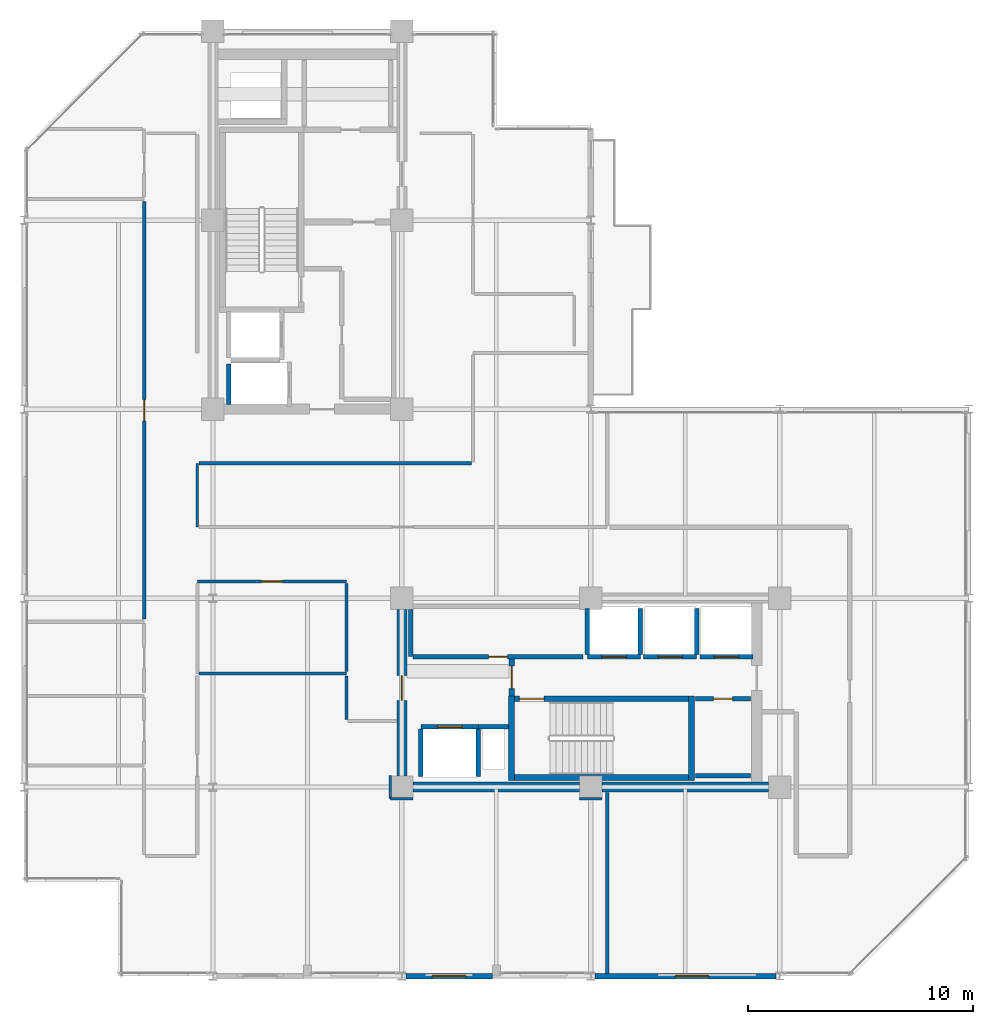
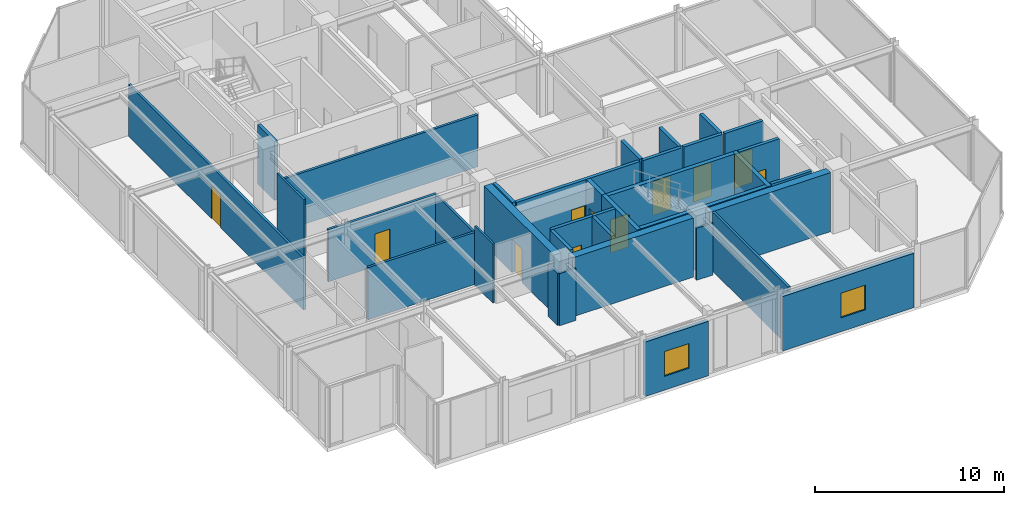
# One storey, part 20 of 25: 36 walls, 11 doors, 2 windows, 13 openings.
"""IFC4 building model written with IfcOpenShell, lengths in metres."""

import ifcopenshell
import ifcopenshell.guid

model = None  # the IFC model being written
_history = None  # IfcOwnerHistory: only IFC2X3 demands one
_inside = {}  # id of a spatial element -> (the spatial element, [elements in it])
_under = {}  # id of a project, library or spatial element -> (it, [spatial elements below it])
_declared = {}  # id of a project -> (the project, [libraries it declares])
_typed = {}  # id of a type object -> (the type object, [elements of that type])
_made_of = {}  # id of a material, layer set ... -> (it, [elements and type objects made of it])


def new_model(schema):
    """Start an empty IFC model of exactly this schema.

    Asked for "IFC4X3", IfcOpenShell would pick the latest addendum, in which some entities
    have other attributes; the version numbers below select the first issue.
    IFC2X3 requires an IfcOwnerHistory on every rooted entity: one is made here for all.
    """
    global model, _history
    if schema == "IFC4X3":
        model = ifcopenshell.file(schema_version=(4, 3, 0, 0))
    else:
        model = ifcopenshell.file(schema=schema)
    _inside.clear()
    _under.clear()
    _declared.clear()
    _typed.clear()
    _made_of.clear()
    _history = None
    if model.schema == "IFC2X3":
        org = make("IfcOrganization", Name="unknown")
        user = make(
            "IfcPersonAndOrganization",
            ThePerson=make("IfcPerson", FamilyName="unknown"),
            TheOrganization=org,
        )
        app = make(
            "IfcApplication",
            ApplicationDeveloper=org,
            Version="unknown",
            ApplicationFullName="unknown",
            ApplicationIdentifier="unknown",
        )
        _history = make(
            "IfcOwnerHistory",
            OwningUser=user,
            OwningApplication=app,
            ChangeAction="ADDED",
            CreationDate=0,
        )
    return model


def make(cls, **values):
    """One entity of the class cls with the attributes given. An attribute that is None is left unset."""
    return model.create_entity(
        cls, **{name: value for name, value in values.items() if value is not None}
    )


def rooted(cls, **values):
    """An entity with a GlobalId (a new one), such as an element, a storey or a relation."""
    return make(cls, GlobalId=ifcopenshell.guid.new(), OwnerHistory=_history, **values)


def si_unit(unit_type, name, prefix=None):
    """IfcSIUnit, for example si_unit("LENGTHUNIT", "METRE", prefix="MILLI")."""
    return make("IfcSIUnit", UnitType=unit_type, Prefix=prefix, Name=name)


def assignment(units):
    """IfcUnitAssignment: the units of a project."""
    return None if units is None else make("IfcUnitAssignment", Units=units)


def point(xyz):
    """IfcCartesianPoint."""
    return None if xyz is None else make("IfcCartesianPoint", Coordinates=xyz)


def direction(xyz):
    """IfcDirection."""
    return None if xyz is None else make("IfcDirection", DirectionRatios=xyz)


def frame(location, z_axis=None, x_axis=None):
    """IfcAxis2Placement3D, a coordinate frame: its origin and axes. An axis left out is left unset."""
    return make(
        "IfcAxis2Placement3D",
        Location=point(location),
        Axis=direction(z_axis),
        RefDirection=direction(x_axis),
    )


def frame_2d(location, x_axis=None):
    """IfcAxis2Placement2D, a coordinate frame in the plane: its origin and x axis."""
    return make(
        "IfcAxis2Placement2D", Location=point(location), RefDirection=direction(x_axis)
    )


def origin():
    """The frame at (0, 0, 0) with its axes left unset."""
    return frame((0.0, 0.0, 0.0))


def place(relative_to, where):
    """IfcLocalPlacement: puts the frame where relative to a parent placement (None: the world)."""
    return make(
        "IfcLocalPlacement", PlacementRelTo=relative_to, RelativePlacement=where
    )


def context(
    kind, dimensions, precision=None, world=None, true_north=None, identifier=None
):
    """IfcGeometricRepresentationContext, for example the 3D "Model" context."""
    return make(
        "IfcGeometricRepresentationContext",
        ContextIdentifier=identifier,
        ContextType=kind,
        CoordinateSpaceDimension=dimensions,
        Precision=precision,
        WorldCoordinateSystem=world,
        TrueNorth=true_north,
    )


def subcontext(parent, identifier, kind, view, scale=None):
    """IfcGeometricRepresentationSubContext, for example "Body" below "Model"."""
    return make(
        "IfcGeometricRepresentationSubContext",
        ContextIdentifier=identifier,
        ContextType=kind,
        ParentContext=parent,
        TargetScale=scale,
        TargetView=view,
    )


def project(units=None, contexts=None):
    """IfcProject with its units and contexts."""
    return rooted(
        "IfcProject",
        Name="project",
        RepresentationContexts=contexts,
        UnitsInContext=assignment(units),
    )


def spatial(cls, under=None, at=None, **own):
    """A site, building, storey or space (cls), placed at a placement, below another one or the project."""
    s = rooted(cls, ObjectPlacement=at, **own)
    if under is not None:
        _under.setdefault(under.id(), (under, []))[1].append(s)
    return s


def profile(cls, at=None, kind="AREA", **sizes):
    """A parametric profile (cls). Its sizes go by their IFC names, for example OverallWidth=200.0."""
    return make(cls, ProfileType=kind, Position=at, **sizes)


def rectangle(**sizes):
    """IfcRectangleProfileDef."""
    return profile("IfcRectangleProfileDef", **sizes)


def extrude(swept, where, along, depth):
    """IfcExtrudedAreaSolid: the profile swept, set in the frame where, extruded along a direction by depth."""
    return make(
        "IfcExtrudedAreaSolid",
        SweptArea=swept,
        Position=where,
        ExtrudedDirection=direction(along),
        Depth=depth,
    )


def shape(context_of_items, identifier, shape_type, items):
    """IfcShapeRepresentation: the items that make up one representation, for example the "Body"."""
    return make(
        "IfcShapeRepresentation",
        ContextOfItems=context_of_items,
        RepresentationIdentifier=identifier,
        RepresentationType=shape_type,
        Items=items,
    )


def material(Name=None, Category=None):
    """IfcMaterial."""
    return make("IfcMaterial", Name=Name, Category=Category)


def layer(
    of_material, thickness, ventilated=None, Name=None, Category=None, Priority=None
):
    """IfcMaterialLayer: one layer of a wall or slab, of a material (None: an air gap)."""
    return make(
        "IfcMaterialLayer",
        Material=of_material,
        LayerThickness=thickness,
        IsVentilated=ventilated,
        Name=Name,
        Category=Category,
        Priority=Priority,
    )


def layer_set(layers, Name=None):
    """IfcMaterialLayerSet."""
    return make("IfcMaterialLayerSet", MaterialLayers=layers, LayerSetName=Name)


def made_of(thing, what):
    """Note that an element or type object is made of a material, layer set ...; save() writes the relation."""
    if what is not None:
        _made_of.setdefault(what.id(), (what, []))[1].append(thing)
    return thing


def type_object(cls, material=None, **own):
    """A type object (cls), such as IfcWallType, which elements share."""
    return made_of(rooted(cls, **own), material)


def element(
    cls,
    number,
    at=None,
    inside=None,
    cuts=None,
    type_object=None,
    material=None,
    context=None,
    identifier="Body",
    shape_type=None,
    held_by="IfcProductDefinitionShape",
    body=None,
    shapes=None,
    **own,
):
    """One element of the class cls, such as IfcWall. Its Tag is "e" and its number.

    at: its placement. inside: the storey or other place that contains it. cuts: it is an
    opening in that element (IfcRelVoidsElement). A single representation is given by context,
    identifier, shape_type and body (its items); several are given by shapes. held_by: the class
    of the entity that holds the representations. save() writes the other relations.
    """
    e = rooted(cls, Tag="e%d" % number, ObjectPlacement=at, **own)
    if body is not None:
        shapes = [shape(context, identifier, shape_type, body)]
    if shapes is not None:
        e.Representation = make(held_by, Representations=shapes)
    if inside is not None:
        _inside.setdefault(inside.id(), (inside, []))[1].append(e)
    if cuts is not None:
        rooted(
            "IfcRelVoidsElement", RelatingBuildingElement=cuts, RelatedOpeningElement=e
        )
    if type_object is not None:
        _typed.setdefault(type_object.id(), (type_object, []))[1].append(e)
    return made_of(e, material)


def fill(opening, filler):
    """IfcRelFillsElement: the door or window that sits in an opening."""
    return rooted(
        "IfcRelFillsElement",
        RelatingOpeningElement=opening,
        RelatedBuildingElement=filler,
    )


def aggregate(whole, parts):
    """IfcRelAggregates: a whole, such as a stair, and the parts it consists of."""
    return rooted("IfcRelAggregates", RelatingObject=whole, RelatedObjects=parts)


def save(model, path):
    """Write the relations noted so far, then the file.

    IfcRelAggregates (storeys below a building ...), IfcRelContainedInSpatialStructure (elements
    in a storey), IfcRelDefinesByType, IfcRelAssociatesMaterial and IfcRelDeclares: one each for
    every whole, place, type object, material and project.
    """
    for whole, parts in _under.values():
        aggregate(whole, parts)
    for where, things in _inside.values():
        rooted(
            "IfcRelContainedInSpatialStructure",
            RelatedElements=things,
            RelatingStructure=where,
        )
    for kind, things in _typed.values():
        rooted("IfcRelDefinesByType", RelatedObjects=things, RelatingType=kind)
    for what, things in _made_of.values():
        rooted("IfcRelAssociatesMaterial", RelatedObjects=things, RelatingMaterial=what)
    for by, libraries in _declared.values():
        rooted("IfcRelDeclares", RelatingContext=by, RelatedDefinitions=libraries)
    model.write(path)


model = new_model("IFC4")

# Units and contexts
model_context = context("Model", 3, precision=1e-05, world=origin(), true_north=direction((0.0, 1.0)))
body_context = subcontext(model_context, "Body", "Model", "MODEL_VIEW")
ifc_project = project(units=[si_unit("LENGTHUNIT", "METRE"), si_unit("AREAUNIT", "SQUARE_METRE"), si_unit("VOLUMEUNIT", "CUBIC_METRE"), si_unit("PLANEANGLEUNIT", "RADIAN"), si_unit("MASSUNIT", "GRAM", prefix="KILO")], contexts=[model_context])

# Site, building, storey
site_placement = place(None, origin())
site = spatial("IfcSite", under=ifc_project, at=site_placement, CompositionType="ELEMENT")
building_placement = place(site_placement, origin())
building = spatial("IfcBuilding", under=site, at=building_placement, Name="Nerrivon Quay Data Exchange", CompositionType="ELEMENT")
storey_placement = place(building_placement, frame((0.0, 0.0, 237.0)))
storey = spatial("IfcBuildingStorey", under=building, at=storey_placement, Name="L56", CompositionType="ELEMENT", Elevation=237.0)

# Wall, opening, window
ifc_material_1 = material(Name="Architectural terracotta precast concrete N50 (50 MPa)", Category="masonry")
ifc_layer_1 = layer(ifc_material_1, 0.239990234375)
ifc_layer_set_1 = layer_set([ifc_layer_1], Name="Architectural terracotta precast concrete N50 (50 MPa)")
wall_type_1 = type_object("IfcWallType", Name="EW-PREC-240", PredefinedType="STANDARD", material=ifc_layer_set_1)
wall_1_placement = place(storey_placement, frame((33.425048828125, 0.0, 0.0), z_axis=(0.0, 0.0, 1.0), x_axis=(-1.0, 0.0, 0.0)))
wall_1 = element("IfcWall", 1, at=wall_1_placement, inside=storey, type_object=wall_type_1, Name="L56 Podium Precast Spandrel Wall 3", PredefinedType="STANDARD", context=body_context, shape_type="SweptSolid", body=[
    extrude(rectangle(XDim=8.050048828125, YDim=0.239990234375, at=frame_2d((4.02490234375, 0.0))), origin(), (0.0, 0.0, 1.0), 3.52490234375),
])
opening_1_placement = place(wall_1_placement, frame((2.982666015625, 0.0, 0.89990234375)))
opening_1 = element("IfcOpeningElement", 2, at=opening_1_placement, cuts=wall_1, Name="Opening WN4", PredefinedType="OPENING", context=body_context, shape_type="SweptSolid", body=[
    extrude(rectangle(XDim=1.5, YDim=1.60009765625, at=frame_2d((0.75, 0.800048828125))), frame((0.0, 0.1298828125, 0.0), z_axis=(0.0, -1.0, 0.0), x_axis=(1.0, 0.0, 0.0)), (0.0, 0.0, 1.0), 0.260009765625),
])
ifc_material_2 = material(Name="Double-glazed low-E solar control glass", Category="glass")
window_type = type_object("IfcWindowType", Name="WIN-W4-1500x1600", PartitioningType="SINGLE_PANEL", PredefinedType="WINDOW", material=ifc_material_2)
window_1_placement = place(opening_1_placement, origin())
window_1 = element("IfcWindow", 3, at=window_1_placement, inside=storey, type_object=window_type, Name="L56 Solar Facade Window 3", OverallHeight=1.60009765625, OverallWidth=1.5, PartitioningType="SINGLE_PANEL", PredefinedType="WINDOW", context=body_context, shape_type="SweptSolid", body=[
    extrude(rectangle(XDim=1.5, YDim=1.60009765625, at=frame_2d((0.75, 0.800048828125))), frame((0.0, 0.030029296875, 0.0), z_axis=(0.0, -1.0, 0.0), x_axis=(1.0, 0.0, 0.0)), (0.0, 0.0, 1.0), 0.06005859375),
])
fill(opening_1, window_1)

wall_2_placement = place(storey_placement, frame((20.824951171875, 0.0, 0.0), z_axis=(0.0, 0.0, 1.0), x_axis=(-1.0, 0.0, 0.0)))
wall_2 = element("IfcWall", 4, at=wall_2_placement, inside=storey, type_object=wall_type_1, Name="L56 Podium Precast Spandrel Wall 5", PredefinedType="STANDARD", context=body_context, shape_type="SweptSolid", body=[
    extrude(rectangle(XDim=3.849853515625, YDim=0.239990234375, at=frame_2d((1.9248046875, 0.0))), origin(), (0.0, 0.0, 1.0), 3.52490234375),
])
opening_2_placement = place(wall_2_placement, frame((1.175048828125, 0.0, 0.89990234375)))
opening_2 = element("IfcOpeningElement", 5, at=opening_2_placement, cuts=wall_2, Name="Opening WN4", PredefinedType="OPENING", context=body_context, shape_type="SweptSolid", body=[
    extrude(rectangle(XDim=1.5, YDim=1.60009765625, at=frame_2d((0.75, 0.800048828125))), frame((0.0, 0.1298828125, 0.0), z_axis=(0.0, -1.0, 0.0), x_axis=(1.0, 0.0, 0.0)), (0.0, 0.0, 1.0), 0.260009765625),
])
window_2_placement = place(opening_2_placement, origin())
window_2 = element("IfcWindow", 6, at=window_2_placement, inside=storey, type_object=window_type, Name="L56 Solar Facade Window 5", OverallHeight=1.60009765625, OverallWidth=1.5, PartitioningType="SINGLE_PANEL", PredefinedType="WINDOW", context=body_context, shape_type="SweptSolid", body=[
    extrude(rectangle(XDim=1.5, YDim=1.60009765625, at=frame_2d((0.75, 0.800048828125))), frame((0.0, 0.030029296875, 0.0), z_axis=(0.0, -1.0, 0.0), x_axis=(1.0, 0.0, 0.0)), (0.0, 0.0, 1.0), 0.06005859375),
])
fill(opening_2, window_2)

# Walls
ifc_material_3 = material(Name="Concrete N50 (50 MPa)", Category="concrete")
ifc_layer_2 = layer(ifc_material_3, 0.449951171875)
ifc_layer_set_2 = layer_set([ifc_layer_2], Name="Concrete N50 (50 MPa)")
wall_type_2 = type_object("IfcWallType", Name="WALL-CW-550", PredefinedType="SHEAR", material=ifc_layer_set_2)
wall_3_placement = place(storey_placement, frame((17.300048828125, 8.39990234375, 0.0), z_axis=(0.0, 0.0, 1.0), x_axis=(1.0, 0.0, 0.0)))
element("IfcWall", 7, at=wall_3_placement, inside=storey, type_object=wall_type_2, Name="L56 East Split-Core Shear Wall ECW-S1", PredefinedType="SHEAR", context=body_context, shape_type="SweptSolid", body=[
    extrude(rectangle(XDim=7.39990234375, YDim=0.449951171875, at=frame_2d((3.699951171875, 0.0))), origin(), (0.0, 0.0, 1.0), 3.824951171875),
])
wall_4_placement = place(storey_placement, frame((25.699951171875, 8.39990234375, 0.0), z_axis=(0.0, 0.0, 1.0), x_axis=(1.0, 0.0, 0.0)))
element("IfcWall", 8, at=wall_4_placement, inside=storey, type_object=wall_type_2, Name="L56 East Split-Core Shear Wall ECW-S2", PredefinedType="SHEAR", context=body_context, shape_type="SweptSolid", body=[
    extrude(rectangle(XDim=7.400146484375, YDim=0.449951171875, at=frame_2d((3.7001953125, 0.0))), origin(), (0.0, 0.0, 1.0), 3.824951171875),
])

# Wall, opening, door
wall_5_placement = place(storey_placement, frame((16.800048828125, 8.89990234375, 0.0), z_axis=(0.0, 0.0, 1.0), x_axis=(0.0, 1.0, 0.0)))
wall_5 = element("IfcWall", 9, at=wall_5_placement, inside=storey, type_object=wall_type_2, Name="L56 East Split-Core Shear Wall ECW-W1", PredefinedType="SHEAR", context=body_context, shape_type="SweptSolid", body=[
    extrude(rectangle(XDim=7.400146484375, YDim=0.449951171875, at=frame_2d((3.7001953125, 0.0))), origin(), (0.0, 0.0, 1.0), 3.824951171875),
])
opening_3_placement = place(wall_5_placement, frame((3.35009765625, 0.0, 0.0)))
opening_3 = element("IfcOpeningElement", 10, at=opening_3_placement, cuts=wall_5, Name="Opening FD-120", PredefinedType="OPENING", context=body_context, shape_type="SweptSolid", body=[
    extrude(rectangle(XDim=1.10009765625, YDim=2.14990234375, at=frame_2d((0.550048828125, 1.074951171875))), frame((0.0, 0.23486328125, 0.0), z_axis=(0.0, -1.0, 0.0), x_axis=(1.0, 0.0, 0.0)), (0.0, 0.0, 1.0), 0.469970703125),
])
ifc_material_4 = material(Name="Powder-coated galvanized steel sheet", Category="steel")
door_type_1 = type_object("IfcDoorType", Name="DR-FD120-1100", OperationType="NOTDEFINED", PredefinedType="DOOR", material=ifc_material_4)
door_1_placement = place(opening_3_placement, origin())
door_1 = element("IfcDoor", 11, at=door_1_placement, inside=storey, type_object=door_type_1, Name="L56 East Core Lobby Fire Door", OperationType="SINGLE_SWING_LEFT", OverallHeight=2.14990234375, OverallWidth=1.10009765625, PredefinedType="DOOR", context=body_context, shape_type="SweptSolid", body=[
    extrude(rectangle(XDim=1.10009765625, YDim=2.14990234375, at=frame_2d((0.550048828125, 1.074951171875))), frame((0.0, 0.02490234375, 0.0), z_axis=(0.0, -1.0, 0.0), x_axis=(1.0, 0.0, 0.0)), (0.0, 0.0, 1.0), 0.050048828125),
])
fill(opening_3, door_1)

# Walls
ifc_material_5 = material(Name="Gypsum plasterboard on cold-formed framing", Category="gypsum")
ifc_layer_3 = layer(ifc_material_5, 0.199951171875)
ifc_layer_set_3 = layer_set([ifc_layer_3], Name="Gypsum plasterboard on cold-formed framing")
wall_type_3 = type_object("IfcWallType", Name="WALL-FW-200", PredefinedType="PARTITIONING", material=ifc_layer_set_3)
wall_6_placement = place(storey_placement, frame((20.199951171875, 11.080078125, 0.0), z_axis=(0.0, 0.0, 1.0), x_axis=(1.0, 0.0, 0.0)))
element("IfcWall", 12, at=wall_6_placement, inside=storey, type_object=wall_type_3, Name="L56 East Core MEP Riser Shaft Wall N", PredefinedType="PARTITIONING", context=body_context, shape_type="SweptSolid", body=[
    extrude(rectangle(XDim=1.35009765625, YDim=0.199951171875, at=frame_2d((0.675048828125, 0.0))), origin(), (0.0, 0.0, 1.0), 3.824951171875),
])
wall_7_placement = place(storey_placement, frame((9.10009765625, 25.39990234375, 0.0), z_axis=(0.0, 0.0, 1.0), x_axis=(0.0, 1.0, 0.0)))
element("IfcWall", 13, at=wall_7_placement, inside=storey, type_object=wall_type_3, Name="L56 Lift Shaft Wall SVL-1 WEST", PredefinedType="PARTITIONING", context=body_context, shape_type="SweptSolid", body=[
    extrude(rectangle(XDim=1.800048828125, YDim=0.199951171875, at=frame_2d((0.89990234375, 0.0))), origin(), (0.0, 0.0, 1.0), 3.824951171875),
])

# Wall, opening, door
wall_8_placement = place(storey_placement, frame((17.64990234375, 11.080078125, 0.0), z_axis=(0.0, 0.0, 1.0), x_axis=(1.0, 0.0, 0.0)))
wall_8 = element("IfcWall", 14, at=wall_8_placement, inside=storey, type_object=wall_type_3, Name="L56 Lift Front Wall FFL-2", PredefinedType="PARTITIONING", context=body_context, shape_type="SweptSolid", body=[
    extrude(rectangle(XDim=2.550048828125, YDim=0.199951171875, at=frame_2d((1.27490234375, 0.0))), origin(), (0.0, 0.0, 1.0), 3.824951171875),
])
opening_4_placement = place(wall_8_placement, frame((0.72509765625, 0.0, 0.0)))
opening_4 = element("IfcOpeningElement", 15, at=opening_4_placement, cuts=wall_8, Name="Opening LD-120", PredefinedType="OPENING", context=body_context, shape_type="SweptSolid", body=[
    extrude(rectangle(XDim=1.10009765625, YDim=2.199951171875, at=frame_2d((0.550048828125, 1.10009765625))), frame((0.0, 0.10986328125, 0.0), z_axis=(0.0, -1.0, 0.0), x_axis=(1.0, 0.0, 0.0)), (0.0, 0.0, 1.0), 0.219970703125),
])
door_type_2 = type_object("IfcDoorType", Name="DR-LIFT-LD120", OperationType="DOUBLE_DOOR_SLIDING", PredefinedType="DOOR", material=ifc_material_4)
door_2_placement = place(opening_4_placement, origin())
door_2 = element("IfcDoor", 16, at=door_2_placement, inside=storey, type_object=door_type_2, Name="L56 Lift Landing Sliding Door FFL-2", OperationType="DOUBLE_DOOR_SLIDING", OverallHeight=2.199951171875, OverallWidth=1.10009765625, PredefinedType="DOOR", context=body_context, shape_type="SweptSolid", body=[
    extrude(rectangle(XDim=1.10009765625, YDim=2.199951171875, at=frame_2d((0.550048828125, 1.10009765625))), frame((0.0, 0.02490234375, 0.0), z_axis=(0.0, -1.0, 0.0), x_axis=(1.0, 0.0, 0.0)), (0.0, 0.0, 1.0), 0.050048828125),
])
fill(opening_4, door_2)

# Walls
for number, where, z_axis, x_axis, name in (
    (17, (20.199951171875, 8.8798828125, 0.0), (0.0, 0.0, 1.0), (0.0, 1.0, 0.0), "L56 Lift Shaft Wall FFL-2 EAST"),
    (18, (17.64990234375, 8.8798828125, 0.0), (0.0, 0.0, 1.0), (0.0, 1.0, 0.0), "L56 Lift Shaft Wall FFL-2 WEST"),
):
    element("IfcWall", number, at=place(storey_placement, frame(where, z_axis=z_axis, x_axis=x_axis)), inside=storey, type_object=wall_type_3, Name=name, PredefinedType="PARTITIONING", context=body_context, shape_type="SweptSolid", body=[
        extrude(rectangle(XDim=2.10009765625, YDim=0.199951171875, at=frame_2d((1.050048828125, 0.0))), origin(), (0.0, 0.0, 1.0), 3.824951171875),
    ])

# Wall, opening, door
wall_9_placement = place(storey_placement, frame((25.050048828125, 14.199951171875, 0.0), z_axis=(0.0, 0.0, 1.0), x_axis=(1.0, 0.0, 0.0)))
wall_9 = element("IfcWall", 19, at=wall_9_placement, inside=storey, type_object=wall_type_3, Name="L56 Lift Front Wall PL7", PredefinedType="PARTITIONING", context=body_context, shape_type="SweptSolid", body=[
    extrude(rectangle(XDim=2.349853515625, YDim=0.199951171875, at=frame_2d((1.1748046875, 0.0))), origin(), (0.0, 0.0, 1.0), 3.824951171875),
])
opening_5_placement = place(wall_9_placement, frame((0.625, 0.0, 0.0)))
opening_5 = element("IfcOpeningElement", 20, at=opening_5_placement, cuts=wall_9, Name="Opening LD-120", PredefinedType="OPENING", context=body_context, shape_type="SweptSolid", body=[
    extrude(rectangle(XDim=1.10009765625, YDim=2.199951171875, at=frame_2d((0.550048828125, 1.10009765625))), frame((0.0, 0.10986328125, 0.0), z_axis=(0.0, -1.0, 0.0), x_axis=(1.0, 0.0, 0.0)), (0.0, 0.0, 1.0), 0.219970703125),
])
door_3_placement = place(opening_5_placement, origin())
door_3 = element("IfcDoor", 21, at=door_3_placement, inside=storey, type_object=door_type_2, Name="L56 Lift Landing Sliding Door PL7", OperationType="DOUBLE_DOOR_SLIDING", OverallHeight=2.199951171875, OverallWidth=1.10009765625, PredefinedType="DOOR", context=body_context, shape_type="SweptSolid", body=[
    extrude(rectangle(XDim=1.10009765625, YDim=2.199951171875, at=frame_2d((0.550048828125, 1.10009765625))), frame((0.0, 0.02490234375, 0.0), z_axis=(0.0, -1.0, 0.0), x_axis=(1.0, 0.0, 0.0)), (0.0, 0.0, 1.0), 0.050048828125),
])
fill(opening_5, door_3)

# Walls
for number, where, z_axis, x_axis, name in (
    (22, (27.39990234375, 14.300048828125, 0.0), (0.0, 0.0, 1.0), (0.0, 1.0, 0.0), "L56 Lift Shaft Wall PL7 EAST"),
    (23, (25.050048828125, 14.300048828125, 0.0), (0.0, 0.0, 1.0), (0.0, 1.0, 0.0), "L56 Lift Shaft Wall PL7 WEST"),
):
    element("IfcWall", number, at=place(storey_placement, frame(where, z_axis=z_axis, x_axis=x_axis)), inside=storey, type_object=wall_type_3, Name=name, PredefinedType="PARTITIONING", context=body_context, shape_type="SweptSolid", body=[
        extrude(rectangle(XDim=2.050048828125, YDim=0.199951171875, at=frame_2d((1.02490234375, 0.0))), origin(), (0.0, 0.0, 1.0), 3.824951171875),
    ])

# Wall, opening, door
wall_10_placement = place(storey_placement, frame((27.550048828125, 14.199951171875, 0.0), z_axis=(0.0, 0.0, 1.0), x_axis=(1.0, 0.0, 0.0)))
wall_10 = element("IfcWall", 24, at=wall_10_placement, inside=storey, type_object=wall_type_3, Name="L56 Lift Front Wall PL8", PredefinedType="PARTITIONING", context=body_context, shape_type="SweptSolid", body=[
    extrude(rectangle(XDim=2.349853515625, YDim=0.199951171875, at=frame_2d((1.1748046875, 0.0))), origin(), (0.0, 0.0, 1.0), 3.824951171875),
])
opening_6_placement = place(wall_10_placement, frame((0.625, 0.0, 0.0)))
opening_6 = element("IfcOpeningElement", 25, at=opening_6_placement, cuts=wall_10, Name="Opening LD-120", PredefinedType="OPENING", context=body_context, shape_type="SweptSolid", body=[
    extrude(rectangle(XDim=1.10009765625, YDim=2.199951171875, at=frame_2d((0.550048828125, 1.10009765625))), frame((0.0, 0.10986328125, 0.0), z_axis=(0.0, -1.0, 0.0), x_axis=(1.0, 0.0, 0.0)), (0.0, 0.0, 1.0), 0.219970703125),
])
door_4_placement = place(opening_6_placement, origin())
door_4 = element("IfcDoor", 26, at=door_4_placement, inside=storey, type_object=door_type_2, Name="L56 Lift Landing Sliding Door PL8", OperationType="DOUBLE_DOOR_SLIDING", OverallHeight=2.199951171875, OverallWidth=1.10009765625, PredefinedType="DOOR", context=body_context, shape_type="SweptSolid", body=[
    extrude(rectangle(XDim=1.10009765625, YDim=2.199951171875, at=frame_2d((0.550048828125, 1.10009765625))), frame((0.0, 0.02490234375, 0.0), z_axis=(0.0, -1.0, 0.0), x_axis=(1.0, 0.0, 0.0)), (0.0, 0.0, 1.0), 0.050048828125),
])
fill(opening_6, door_4)

# Wall
wall_11_placement = place(storey_placement, frame((29.89990234375, 14.300048828125, 0.0), z_axis=(0.0, 0.0, 1.0), x_axis=(0.0, 1.0, 0.0)))
element("IfcWall", 27, at=wall_11_placement, inside=storey, type_object=wall_type_3, Name="L56 Lift Shaft Wall PL8 EAST", PredefinedType="PARTITIONING", context=body_context, shape_type="SweptSolid", body=[
    extrude(rectangle(XDim=2.050048828125, YDim=0.199951171875, at=frame_2d((1.02490234375, 0.0))), origin(), (0.0, 0.0, 1.0), 3.824951171875),
])

# Wall, opening, door
wall_12_placement = place(storey_placement, frame((30.050048828125, 14.199951171875, 0.0), z_axis=(0.0, 0.0, 1.0), x_axis=(1.0, 0.0, 0.0)))
wall_12 = element("IfcWall", 28, at=wall_12_placement, inside=storey, type_object=wall_type_3, Name="L56 Lift Front Wall PL9", PredefinedType="PARTITIONING", context=body_context, shape_type="SweptSolid", body=[
    extrude(rectangle(XDim=2.349853515625, YDim=0.199951171875, at=frame_2d((1.1748046875, 0.0))), origin(), (0.0, 0.0, 1.0), 3.824951171875),
])
opening_7_placement = place(wall_12_placement, frame((0.625, 0.0, 0.0)))
opening_7 = element("IfcOpeningElement", 29, at=opening_7_placement, cuts=wall_12, Name="Opening LD-120", PredefinedType="OPENING", context=body_context, shape_type="SweptSolid", body=[
    extrude(rectangle(XDim=1.10009765625, YDim=2.199951171875, at=frame_2d((0.550048828125, 1.10009765625))), frame((0.0, 0.10986328125, 0.0), z_axis=(0.0, -1.0, 0.0), x_axis=(1.0, 0.0, 0.0)), (0.0, 0.0, 1.0), 0.219970703125),
])
door_5_placement = place(opening_7_placement, origin())
door_5 = element("IfcDoor", 30, at=door_5_placement, inside=storey, type_object=door_type_2, Name="L56 Lift Landing Sliding Door PL9", OperationType="DOUBLE_DOOR_SLIDING", OverallHeight=2.199951171875, OverallWidth=1.10009765625, PredefinedType="DOOR", context=body_context, shape_type="SweptSolid", body=[
    extrude(rectangle(XDim=1.10009765625, YDim=2.199951171875, at=frame_2d((0.550048828125, 1.10009765625))), frame((0.0, 0.02490234375, 0.0), z_axis=(0.0, -1.0, 0.0), x_axis=(1.0, 0.0, 0.0)), (0.0, 0.0, 1.0), 0.050048828125),
])
fill(opening_7, door_5)

# Wall
wall_13_placement = place(storey_placement, frame((17.199951171875, 16.294921875, 0.0), z_axis=(0.0, 0.0, 1.0), x_axis=(0.0, -1.0, 0.0)))
element("IfcWall", 31, at=wall_13_placement, inside=storey, type_object=wall_type_3, Name="L56 Partition High-Zone Telemetry Equipment Store", PredefinedType="PARTITIONING", context=body_context, shape_type="SweptSolid", body=[
    extrude(rectangle(XDim=2.094970703125, YDim=0.199951171875, at=frame_2d((1.04736328125, 0.0))), origin(), (0.0, 0.0, 1.0), 3.824951171875),
])

# Wall, opening, door
wall_14_placement = place(storey_placement, frame((17.303955078125, 14.199951171875, 0.0), z_axis=(0.0, 0.0, 1.0), x_axis=(1.0, 0.0, 0.0)))
wall_14 = element("IfcWall", 32, at=wall_14_placement, inside=storey, type_object=wall_type_3, Name="L56 Partition High-Zone Telemetry Equipment Store", PredefinedType="PARTITIONING", context=body_context, shape_type="SweptSolid", body=[
    extrude(rectangle(XDim=7.546142578125, YDim=0.199951171875, at=frame_2d((3.77294921875, 0.0))), origin(), (0.0, 0.0, 1.0), 3.824951171875),
])
opening_8_placement = place(wall_14_placement, frame((3.347900390625, 0.0, 0.0)))
opening_8 = element("IfcOpeningElement", 33, at=opening_8_placement, cuts=wall_14, Name="Opening FD-60S", PredefinedType="OPENING", context=body_context, shape_type="SweptSolid", body=[
    extrude(rectangle(XDim=0.85009765625, YDim=2.14990234375, at=frame_2d((0.425048828125, 1.074951171875))), frame((0.0, 0.10986328125, 0.0), z_axis=(0.0, -1.0, 0.0), x_axis=(1.0, 0.0, 0.0)), (0.0, 0.0, 1.0), 0.219970703125),
])
ifc_material_6 = material(Name="Engineered hardwood timber", Category="wood")
door_type_3 = type_object("IfcDoorType", Name="DR-FD60-850", OperationType="NOTDEFINED", PredefinedType="DOOR", material=ifc_material_6)
door_6_placement = place(opening_8_placement, origin())
door_6 = element("IfcDoor", 34, at=door_6_placement, inside=storey, type_object=door_type_3, Name="L56 Door High-Zone Telemetry Equipment Store", OperationType="SINGLE_SWING_RIGHT", OverallHeight=2.14990234375, OverallWidth=0.85009765625, PredefinedType="DOOR", context=body_context, shape_type="SweptSolid", body=[
    extrude(rectangle(XDim=0.85009765625, YDim=2.14990234375, at=frame_2d((0.425048828125, 1.074951171875))), frame((0.0, 0.02490234375, 0.0), z_axis=(0.0, -1.0, 0.0), x_axis=(1.0, 0.0, 0.0)), (0.0, 0.0, 1.0), 0.050048828125),
])
fill(opening_8, door_6)

wall_15_placement = place(storey_placement, frame((32.300048828125, 12.330078125, 0.0), z_axis=(0.0, 0.0, 1.0), x_axis=(-1.0, 0.0, 0.0)))
wall_15 = element("IfcWall", 35, at=wall_15_placement, inside=storey, type_object=wall_type_3, Name="L56 Partition East Telecom Closet", PredefinedType="PARTITIONING", context=body_context, shape_type="SweptSolid", body=[
    extrude(rectangle(XDim=2.449951171875, YDim=0.199951171875, at=frame_2d((1.22509765625, 0.0))), origin(), (0.0, 0.0, 1.0), 3.824951171875),
])
opening_9_placement = place(wall_15_placement, frame((0.800048828125, 0.0, 0.0)))
opening_9 = element("IfcOpeningElement", 36, at=opening_9_placement, cuts=wall_15, Name="Opening FD-60S", PredefinedType="OPENING", context=body_context, shape_type="SweptSolid", body=[
    extrude(rectangle(XDim=0.85009765625, YDim=2.14990234375, at=frame_2d((0.425048828125, 1.074951171875))), frame((0.0, 0.10986328125, 0.0), z_axis=(0.0, -1.0, 0.0), x_axis=(1.0, 0.0, 0.0)), (0.0, 0.0, 1.0), 0.219970703125),
])
door_7_placement = place(opening_9_placement, origin())
door_7 = element("IfcDoor", 37, at=door_7_placement, inside=storey, type_object=door_type_3, Name="L56 Door East Telecom Closet", OperationType="SINGLE_SWING_LEFT", OverallHeight=2.14990234375, OverallWidth=0.85009765625, PredefinedType="DOOR", context=body_context, shape_type="SweptSolid", body=[
    extrude(rectangle(XDim=0.85009765625, YDim=2.14990234375, at=frame_2d((0.425048828125, 1.074951171875))), frame((0.0, 0.02490234375, 0.0), z_axis=(0.0, -1.0, 0.0), x_axis=(1.0, 0.0, 0.0)), (0.0, 0.0, 1.0), 0.050048828125),
])
fill(opening_9, door_7)

# Walls
wall_16_placement = place(storey_placement, frame((29.85009765625, 8.89990234375, 0.0), z_axis=(0.0, 0.0, 1.0), x_axis=(1.0, 0.0, 0.0)))
element("IfcWall", 38, at=wall_16_placement, inside=storey, type_object=wall_type_3, Name="L56 Partition East Telecom Closet", PredefinedType="PARTITIONING", context=body_context, shape_type="SweptSolid", body=[
    extrude(rectangle(XDim=2.449951171875, YDim=0.199951171875, at=frame_2d((1.22509765625, 0.0))), origin(), (0.0, 0.0, 1.0), 3.824951171875),
])
ifc_layer_4 = layer(ifc_material_5, 0.1201171875)
ifc_layer_set_4 = layer_set([ifc_layer_4], Name="Gypsum plasterboard on cold-formed framing")
wall_type_4 = type_object("IfcWallType", Name="WALL-PT-120", PredefinedType="PARTITIONING", material=ifc_layer_set_4)
wall_17_placement = place(storey_placement, frame((7.7099609375, 22.7900390625, 0.0), z_axis=(0.0, 0.0, 1.0), x_axis=(0.0, -1.0, 0.0)))
element("IfcWall", 39, at=wall_17_placement, inside=storey, type_object=wall_type_4, Name="L56 Partition Staff Pantry", PredefinedType="PARTITIONING", context=body_context, shape_type="SweptSolid", body=[
    extrude(rectangle(XDim=2.830078125, YDim=0.1201171875, at=frame_2d((1.4150390625, 0.0))), origin(), (0.0, 0.0, 1.0), 3.824951171875),
])
for number, where, z_axis, x_axis, name in (
    (40, (25.699951171875, 7.8798828125, 0.0), (0.0, 0.0, 1.0), (-0.999999528702, 0.000970873329, 0.0), "L56 Partition Technical Library"),
    (41, (17.305908203125, 7.880859375, 0.0), (0.0, 0.0, 1.0), (-0.999999528702, -0.000970873329, 0.0), "L56 Partition Technical Library"),
):
    element("IfcWall", number, at=place(storey_placement, frame(where, z_axis=z_axis, x_axis=x_axis)), inside=storey, type_object=wall_type_4, Name=name, PredefinedType="PARTITIONING", context=body_context, shape_type="SweptSolid", body=[
        extrude(rectangle(XDim=1.005859375, YDim=0.1201171875, at=frame_2d((0.5029296875, 0.0))), origin(), (0.0, 0.0, 1.0), 3.37109375),
    ])
wall_18_placement = place(storey_placement, frame((16.280029296875, 7.89990234375, 0.0), z_axis=(0.0, 0.0, 1.0), x_axis=(0.000970873329, 0.999999528702, 0.0)))
element("IfcWall", 42, at=wall_18_placement, inside=storey, type_object=wall_type_4, Name="L56 Partition Technical Library", PredefinedType="PARTITIONING", context=body_context, shape_type="SweptSolid", body=[
    extrude(rectangle(XDim=1.005859375, YDim=0.1201171875, at=frame_2d((0.5029296875, 0.0))), origin(), (0.0, 0.0, 1.0), 3.364990234375),
])
wall_19_placement = place(storey_placement, frame((14.340087890625, 11.39990234375, 0.0), z_axis=(0.0, 0.0, 1.0), x_axis=(0.0, 1.0, 0.0)))
element("IfcWall", 43, at=wall_19_placement, inside=storey, type_object=wall_type_4, Name="L56 Partition Technical Library", PredefinedType="PARTITIONING", context=body_context, shape_type="SweptSolid", body=[
    extrude(rectangle(XDim=1.93212890625, YDim=0.1201171875, at=frame_2d((0.966064453125, 0.0))), origin(), (0.0, 0.0, 1.0), 3.824951171875),
])
ifc_layer_5 = layer(ifc_material_5, 0.135009765625)
ifc_layer_set_5 = layer_set([ifc_layer_5], Name="Gypsum plasterboard on cold-formed framing")
wall_type_5 = type_object("IfcWallType", Name="WALL-PT-135", PredefinedType="PARTITIONING", material=ifc_layer_set_5)
wall_20_placement = place(storey_placement, frame((14.340087890625, 13.531005859375, 0.0), z_axis=(0.0, 0.0, 1.0), x_axis=(0.0, 1.0, 0.0)))
element("IfcWall", 44, at=wall_20_placement, inside=storey, type_object=wall_type_5, Name="L56 Partition Public Washrooms", PredefinedType="PARTITIONING", context=body_context, shape_type="SweptSolid", body=[
    extrude(rectangle(XDim=3.929931640625, YDim=0.135009765625, at=frame_2d((1.96484375, 0.0))), origin(), (0.0, 0.0, 1.0), 3.364990234375),
])

# Wall, opening, door
ifc_layer_6 = layer(ifc_material_5, 0.14990234375)
ifc_layer_set_6 = layer_set([ifc_layer_6], Name="Gypsum plasterboard on cold-formed framing")
wall_type_6 = type_object("IfcWallType", Name="WALL-PT-150", PredefinedType="PARTITIONING", material=ifc_layer_set_6)
wall_21_placement = place(storey_placement, frame((14.340087890625, 17.5400390625, 0.0), z_axis=(0.0, 0.0, 1.0), x_axis=(-1.0, 0.0, 0.0)))
wall_21 = element("IfcWall", 45, at=wall_21_placement, inside=storey, type_object=wall_type_6, Name="L56 Partition Public Washrooms", PredefinedType="PARTITIONING", context=body_context, shape_type="SweptSolid", body=[
    extrude(rectangle(XDim=6.630126953125, YDim=0.14990234375, at=frame_2d((3.31494140625, 0.0))), origin(), (0.0, 0.0, 1.0), 3.37109375),
])
opening_10_placement = place(wall_21_placement, frame((2.85498046875, 0.0, 0.0)))
opening_10 = element("IfcOpeningElement", 46, at=opening_10_placement, cuts=wall_21, Name="Opening D-WC", PredefinedType="OPENING", context=body_context, shape_type="SweptSolid", body=[
    extrude(rectangle(XDim=0.919921875, YDim=2.10009765625, at=frame_2d((0.4599609375, 1.050048828125))), frame((0.0, 0.0849609375, 0.0), z_axis=(0.0, -1.0, 0.0), x_axis=(1.0, 0.0, 0.0)), (0.0, 0.0, 1.0), 0.169921875),
])
door_type_4 = type_object("IfcDoorType", Name="DR-WC-920", OperationType="NOTDEFINED", PredefinedType="DOOR", material=ifc_material_6)
door_8_placement = place(opening_10_placement, origin())
door_8 = element("IfcDoor", 47, at=door_8_placement, inside=storey, type_object=door_type_4, Name="L56 Door Public Washrooms", OperationType="SINGLE_SWING_LEFT", OverallHeight=2.10009765625, OverallWidth=0.919921875, PredefinedType="DOOR", context=body_context, shape_type="SweptSolid", body=[
    extrude(rectangle(XDim=0.919921875, YDim=2.10009765625, at=frame_2d((0.4599609375, 1.050048828125))), frame((0.0, 0.02490234375, 0.0), z_axis=(0.0, -1.0, 0.0), x_axis=(1.0, 0.0, 0.0)), (0.0, 0.0, 1.0), 0.050048828125),
])
fill(opening_10, door_8)

# Walls
wall_22_placement = place(storey_placement, frame((7.781494140625, 13.451904296875, 0.0), z_axis=(0.0, 0.0, 1.0), x_axis=(1.0, 0.0, 0.0)))
element("IfcWall", 48, at=wall_22_placement, inside=storey, type_object=wall_type_6, Name="L56 Partition Public Washrooms", PredefinedType="PARTITIONING", context=body_context, shape_type="SweptSolid", body=[
    extrude(rectangle(XDim=6.55859375, YDim=0.14990234375, at=frame_2d((3.279296875, 0.0))), origin(), (0.0, 0.0, 1.0), 3.37109375),
])
wall_23_placement = place(storey_placement, frame((19.89990234375, 22.7900390625, 0.0), z_axis=(0.0, 0.0, 1.0), x_axis=(-1.0, 0.0, 0.0)))
element("IfcWall", 49, at=wall_23_placement, inside=storey, type_object=wall_type_6, Name="L56 Partition Staff Pantry", PredefinedType="PARTITIONING", context=body_context, shape_type="SweptSolid", body=[
    extrude(rectangle(XDim=12.1259765625, YDim=0.14990234375, at=frame_2d((6.06298828125, 0.0))), origin(), (0.0, 0.0, 1.0), 3.37109375),
])

# Wall, opening, door
wall_24_placement = place(storey_placement, frame((5.340087890625, 15.8701171875, 0.0), z_axis=(0.0, 0.0, 1.0), x_axis=(0.0, 1.0, 0.0)))
wall_24 = element("IfcWall", 50, at=wall_24_placement, inside=storey, type_object=wall_type_6, Name="L56 Partition Peering Day Lounge", PredefinedType="PARTITIONING", context=body_context, shape_type="SweptSolid", body=[
    extrude(rectangle(XDim=18.559814453125, YDim=0.14990234375, at=frame_2d((9.27978515625, 0.0))), origin(), (0.0, 0.0, 1.0), 3.364990234375),
])
opening_11_placement = place(wall_24_placement, frame((8.804931640625, 0.0, 0.0)))
opening_11 = element("IfcOpeningElement", 51, at=opening_11_placement, cuts=wall_24, Name="Opening D-01", PredefinedType="OPENING", context=body_context, shape_type="SweptSolid", body=[
    extrude(rectangle(XDim=0.949951171875, YDim=2.14990234375, at=frame_2d((0.47509765625, 1.074951171875))), frame((0.0, 0.0849609375, 0.0), z_axis=(0.0, -1.0, 0.0), x_axis=(1.0, 0.0, 0.0)), (0.0, 0.0, 1.0), 0.169921875),
])
door_type_5 = type_object("IfcDoorType", Name="DR-INT-950", OperationType="NOTDEFINED", PredefinedType="DOOR", material=ifc_material_6)
door_9_placement = place(opening_11_placement, origin())
door_9 = element("IfcDoor", 52, at=door_9_placement, inside=storey, type_object=door_type_5, Name="L56 Door Peering Day Lounge", OperationType="SINGLE_SWING_RIGHT", OverallHeight=2.14990234375, OverallWidth=0.949951171875, PredefinedType="DOOR", context=body_context, shape_type="SweptSolid", body=[
    extrude(rectangle(XDim=0.949951171875, YDim=2.14990234375, at=frame_2d((0.47509765625, 1.074951171875))), frame((0.0, 0.02490234375, 0.0), z_axis=(0.0, -1.0, 0.0), x_axis=(1.0, 0.0, 0.0)), (0.0, 0.0, 1.0), 0.050048828125),
])
fill(opening_11, door_9)

# Walls
wall_25_placement = place(storey_placement, frame((25.9296875, 0.1240234375, 0.0), z_axis=(0.0, 0.0, 1.0), x_axis=(0.0, 1.0, 0.0)))
element("IfcWall", 53, at=wall_25_placement, inside=storey, type_object=wall_type_6, Name="L56 Partition Technical Library", PredefinedType="PARTITIONING", context=body_context, shape_type="SweptSolid", body=[
    extrude(rectangle(XDim=8.046875, YDim=0.14990234375, at=frame_2d((4.0234375, 0.0))), origin(), (0.0, 0.0, 1.0), 3.824951171875),
])
ifc_layer_7 = layer(ifc_material_3, 0.25)
ifc_layer_set_7 = layer_set([ifc_layer_7], Name="Concrete N50 (50 MPa)")
wall_type_7 = type_object("IfcWallType", Name="WALL-SW-250", PredefinedType="SHEAR", material=ifc_layer_set_7)
for number, where, z_axis, x_axis, name in (
    (54, (21.675048828125, 8.699951171875, 0.0), (0.0, 0.0, 1.0), (0.0, 1.0, 0.0), "L56 ST02 Structural Stair Core Wall NEAR"),
    (55, (29.675048828125, 8.699951171875, 0.0), (0.0, 0.0, 1.0), (0.0, 1.0, 0.0), "L56 ST02 Structural Stair Core Wall FAR"),
):
    element("IfcWall", number, at=place(storey_placement, frame(where, z_axis=z_axis, x_axis=x_axis)), inside=storey, type_object=wall_type_7, Name=name, PredefinedType="SHEAR", context=body_context, shape_type="SweptSolid", body=[
        extrude(rectangle(XDim=3.75, YDim=0.25, at=frame_2d((1.875, 0.0))), origin(), (0.0, 0.0, 1.0), 3.824951171875),
    ])
wall_26_placement = place(storey_placement, frame((21.800048828125, 8.824951171875, 0.0), z_axis=(0.0, 0.0, 1.0), x_axis=(1.0, 0.0, 0.0)))
element("IfcWall", 56, at=wall_26_placement, inside=storey, type_object=wall_type_7, Name="L56 ST02 Structural Stair Core Wall LEFT", PredefinedType="SHEAR", context=body_context, shape_type="SweptSolid", body=[
    extrude(rectangle(XDim=7.75, YDim=0.25, at=frame_2d((3.875, 0.0))), origin(), (0.0, 0.0, 1.0), 3.824951171875),
])

# Wall, opening, door
wall_27_placement = place(storey_placement, frame((21.800048828125, 12.324951171875, 0.0), z_axis=(0.0, 0.0, 1.0), x_axis=(1.0, 0.0, 0.0)))
wall_27 = element("IfcWall", 57, at=wall_27_placement, inside=storey, type_object=wall_type_7, Name="L56 ST02 Structural Stair Core Wall RIGHT", PredefinedType="SHEAR", context=body_context, shape_type="SweptSolid", body=[
    extrude(rectangle(XDim=7.75, YDim=0.25, at=frame_2d((3.875, 0.0))), origin(), (0.0, 0.0, 1.0), 3.824951171875),
])
opening_12_placement = place(wall_27_placement, frame((0.219970703125, 0.0, 0.0)))
opening_12 = element("IfcOpeningElement", 58, at=opening_12_placement, cuts=wall_27, Name="Opening FD-120", PredefinedType="OPENING", context=body_context, shape_type="SweptSolid", body=[
    extrude(rectangle(XDim=1.10009765625, YDim=2.14990234375, at=frame_2d((0.550048828125, 1.074951171875))), frame((0.0, 0.135009765625, 0.0), z_axis=(0.0, -1.0, 0.0), x_axis=(1.0, 0.0, 0.0)), (0.0, 0.0, 1.0), 0.27001953125),
])
door_10_placement = place(opening_12_placement, origin())
door_10 = element("IfcDoor", 59, at=door_10_placement, inside=storey, type_object=door_type_1, Name="L56 Protected Stair Door ST02", OperationType="SINGLE_SWING_LEFT", OverallHeight=2.14990234375, OverallWidth=1.10009765625, PredefinedType="DOOR", context=body_context, shape_type="SweptSolid", body=[
    extrude(rectangle(XDim=1.10009765625, YDim=2.14990234375, at=frame_2d((0.550048828125, 1.074951171875))), frame((0.0, 0.02490234375, 0.0), z_axis=(0.0, -1.0, 0.0), x_axis=(1.0, 0.0, 0.0)), (0.0, 0.0, 1.0), 0.050048828125),
])
fill(opening_12, door_10)

wall_28_placement = place(storey_placement, frame((21.679931640625, 12.449951171875, 0.0), z_axis=(0.0, 0.0, 1.0), x_axis=(0.0, 1.0, 0.0)))
wall_28 = element("IfcWall", 60, at=wall_28_placement, inside=storey, type_object=wall_type_7, Name="L56 East Firefighting Lobby Wall", PredefinedType="SHEAR", context=body_context, shape_type="SweptSolid", body=[
    extrude(rectangle(XDim=1.650146484375, YDim=0.25, at=frame_2d((0.8251953125, 0.0))), origin(), (0.0, 0.0, 1.0), 3.824951171875),
])
opening_13_placement = place(wall_28_placement, frame((0.324951171875, 0.0, 0.0)))
opening_13 = element("IfcOpeningElement", 61, at=opening_13_placement, cuts=wall_28, Name="Opening FD-60", PredefinedType="OPENING", context=body_context, shape_type="SweptSolid", body=[
    extrude(rectangle(XDim=1.0, YDim=2.14990234375, at=frame_2d((0.5, 1.074951171875))), frame((0.0, 0.135009765625, 0.0), z_axis=(0.0, -1.0, 0.0), x_axis=(1.0, 0.0, 0.0)), (0.0, 0.0, 1.0), 0.27001953125),
])
door_type_6 = type_object("IfcDoorType", Name="DR-FD60-1000", OperationType="NOTDEFINED", PredefinedType="DOOR", material=ifc_material_6)
door_11_placement = place(opening_13_placement, origin())
door_11 = element("IfcDoor", 62, at=door_11_placement, inside=storey, type_object=door_type_6, Name="L56 East Firefighting Lobby Fire Door", OperationType="SINGLE_SWING_LEFT", OverallHeight=2.14990234375, OverallWidth=1.0, PredefinedType="DOOR", context=body_context, shape_type="SweptSolid", body=[
    extrude(rectangle(XDim=1.0, YDim=2.14990234375, at=frame_2d((0.5, 1.074951171875))), frame((0.0, 0.02490234375, 0.0), z_axis=(0.0, -1.0, 0.0), x_axis=(1.0, 0.0, 0.0)), (0.0, 0.0, 1.0), 0.050048828125),
])
fill(opening_13, door_11)

save(model, "model.ifc")
